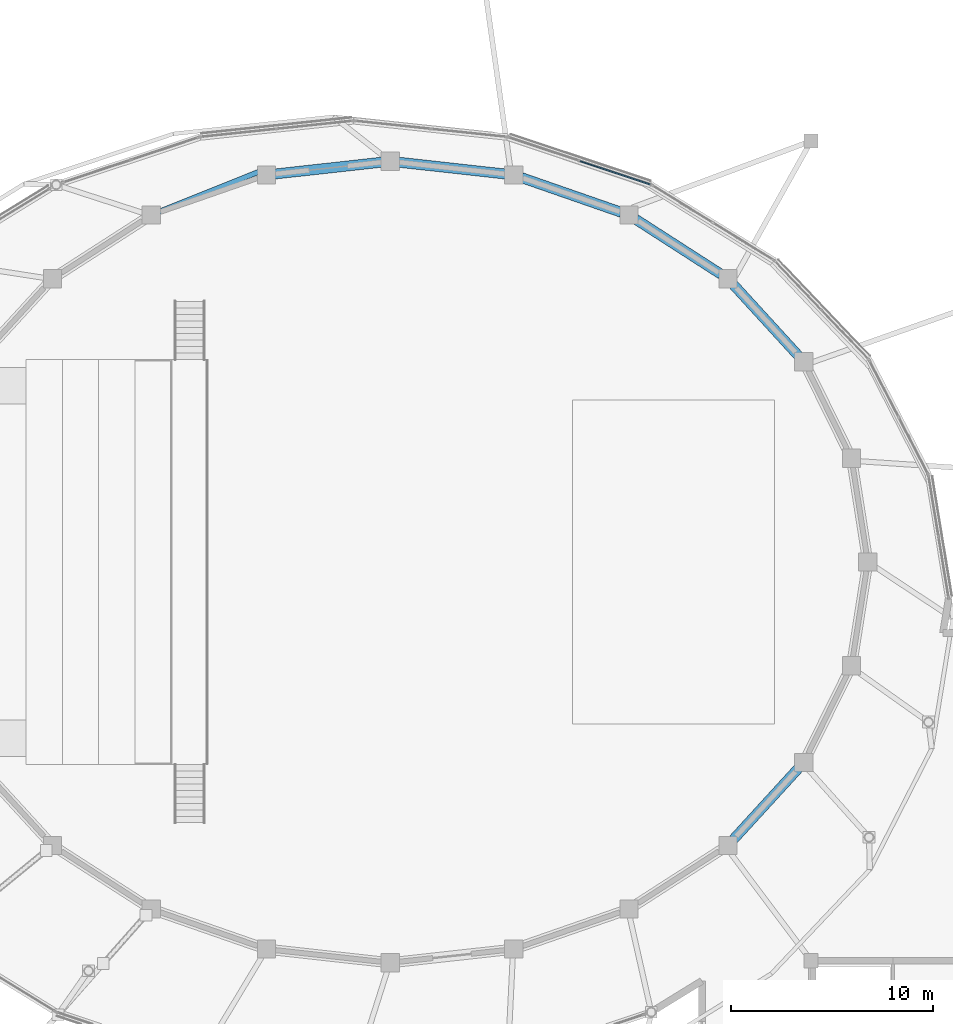
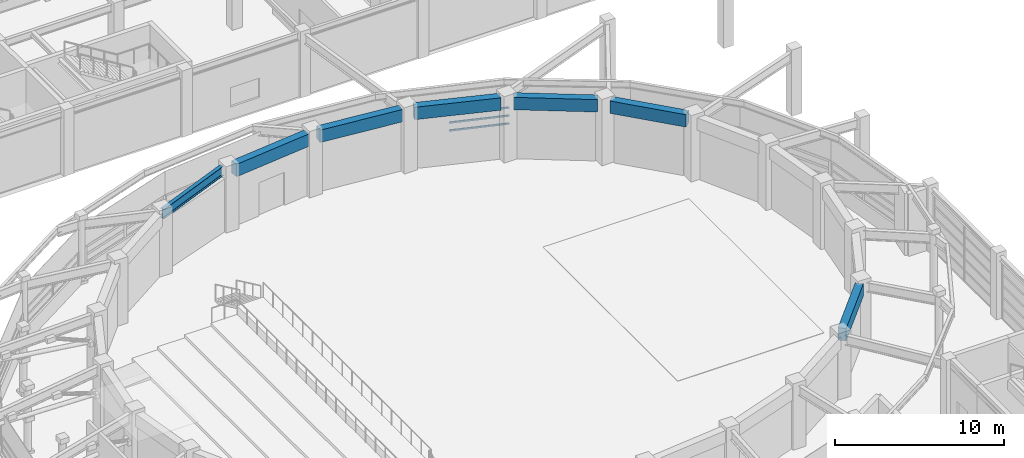
# One storey, part 15 of 56: 7 beams, 3 members, 1 element without a shape of its own.
"""IFC4 building model written with IfcOpenShell, lengths in metres."""

from ifc_helpers import new_model, si_unit, direction, frame, origin, origin_2d, place, context, subcontext, project, spatial, rectangle, i_section, extrude, material, material_profile, profile_set, type_object, element, aggregate, save


model = new_model("IFC4")

# Units and contexts
model_context = context("Model", 3, precision=1e-05, world=origin(), true_north=direction((0.0, 1.0)))
body_context = subcontext(model_context, "Body", "Model", "MODEL_VIEW")
ifc_project = project(units=[si_unit("LENGTHUNIT", "METRE"), si_unit("AREAUNIT", "SQUARE_METRE"), si_unit("VOLUMEUNIT", "CUBIC_METRE"), si_unit("PLANEANGLEUNIT", "RADIAN"), si_unit("MASSUNIT", "GRAM", prefix="KILO")], contexts=[model_context])

# Site, building, storey
site_placement = place(None, origin())
site = spatial("IfcSite", under=ifc_project, at=site_placement, CompositionType="ELEMENT")
building_placement = place(site_placement, origin())
building = spatial("IfcBuilding", under=site, at=building_placement, Name="Parian Resonance Hall", CompositionType="ELEMENT")
storey_placement = place(building_placement, frame((0.0, 0.0, 5.39990234375)))
storey = spatial("IfcBuildingStorey", under=building, at=storey_placement, Name="L01", CompositionType="ELEMENT", Elevation=5.39990234375)

# Beams
ifc_material_1 = material(Name="Concrete C40/50", Category="concrete")
ifc_material_profile_1 = material_profile(ifc_material_1, rectangle(XDim=0.5, YDim=0.89990234375, at=origin_2d()), Name="RC-BM-500x900")
ifc_profile_set_1 = profile_set([ifc_material_profile_1], Name="Concrete C40/50")
beam_type_1 = type_object("IfcBeamType", Name="BM-RC500x900", PredefinedType="USERDEFINED", material=ifc_profile_set_1)
beam_1_placement = place(storey_placement, frame((64.168212890625, 54.1953125, 4.080078125), z_axis=(-0.674892190981, 0.737916343872, 0.0), x_axis=(-0.737916343872, -0.674892190981, 0.0)))
element("IfcBeam", 1, at=beam_1_placement, inside=storey, type_object=beam_type_1, Name="Concert hall drum ring beam L01-03", ObjectType="GIRDER", PredefinedType="USERDEFINED", context=body_context, shape_type="SweptSolid", body=[
    extrude(rectangle(XDim=0.5, YDim=0.89990234375, at=origin_2d()), origin(), (0.0, 0.0, 1.0), 4.757080078125),
])
beam_2_placement = place(storey_placement, frame((60.351318359375, 58.21728515625, 4.080078125), z_axis=(-0.840822266108, 0.541311293819, 0.0), x_axis=(-0.541311293819, -0.840822266108, 0.0)))
element("IfcBeam", 2, at=beam_2_placement, inside=storey, type_object=beam_type_1, Name="Concert hall drum ring beam L01-04", ObjectType="GIRDER", PredefinedType="USERDEFINED", context=body_context, shape_type="SweptSolid", body=[
    extrude(rectangle(XDim=0.5, YDim=0.89990234375, at=origin_2d()), origin(), (0.0, 0.0, 1.0), 5.012939453125),
])
beam_3_placement = place(storey_placement, frame((55.422119140625, 61.278564453125, 4.080078125), z_axis=(-0.944593815742, 0.328241562362, 0.0), x_axis=(-0.328241562362, -0.944593815742, 0.0)))
element("IfcBeam", 3, at=beam_3_placement, inside=storey, type_object=beam_type_1, Name="Concert hall drum ring beam L01-05", ObjectType="GIRDER", PredefinedType="USERDEFINED", context=body_context, shape_type="SweptSolid", body=[
    extrude(rectangle(XDim=0.5, YDim=0.89990234375, at=origin_2d()), origin(), (0.0, 0.0, 1.0), 5.225830078125),
])
for number, where, z_axis, x_axis, name in (
    (4, (49.71044921875, 63.169189453125, 4.080078125), (-0.993953165009, 0.109804853117, 0.0), (-0.109804853117, -0.993953165009, 0.0), "Concert hall drum ring beam L01-06"),
    (5, (43.602294921875, 63.756103515625, 4.080078125), (-0.993953165009, -0.109804853117, 0.0), (0.109804853117, -0.993953165009, 0.0), "Concert hall drum ring beam L01-07"),
):
    element("IfcBeam", number, at=place(storey_placement, frame(where, z_axis=z_axis, x_axis=x_axis)), inside=storey, type_object=beam_type_1, Name=name, ObjectType="GIRDER", PredefinedType="USERDEFINED", context=body_context, shape_type="SweptSolid", body=[
        extrude(rectangle(XDim=0.5, YDim=0.89990234375, at=origin_2d()), origin(), (0.0, 0.0, 1.0), 5.344970703125),
    ])
beam_4_placement = place(storey_placement, frame((60.957763671875, 30.29443359375, 4.080078125), z_axis=(0.674892190981, 0.737916343872, 0.0), x_axis=(-0.737916343872, 0.674892190981, 0.0)))
element("IfcBeam", 6, at=beam_4_placement, inside=storey, type_object=beam_type_1, Name="Concert hall drum ring beam L01-22", ObjectType="GIRDER", PredefinedType="USERDEFINED", context=body_context, shape_type="SweptSolid", body=[
    extrude(rectangle(XDim=0.5, YDim=0.89990234375, at=origin_2d()), origin(), (0.0, 0.0, 1.0), 4.757080078125),
])
ifc_material_2 = material(Name="Steel S355", Category="steel")
ifc_material_profile_2 = material_profile(ifc_material_2, i_section(OverallWidth=0.256103515625, OverallDepth=0.693115234375, WebThickness=0.014404296875, FlangeThickness=0.023681640625, FilletRadius=0.020263671875, at=origin_2d()), Name="W690x170")
ifc_profile_set_2 = profile_set([ifc_material_profile_2], Name="Steel S355")
beam_type_2 = type_object("IfcBeamType", Name="CG2 W690x170", PredefinedType="USERDEFINED", material=ifc_profile_set_2)
beam_5_placement = place(storey_placement, frame((37.52587890625, 63.286376953125, 4.18359375), z_axis=(-0.928109474735, -0.372307403777, 0.0), x_axis=(0.372307403777, -0.928109474735, 0.0)))
element("IfcBeam", 7, at=beam_5_placement, inside=storey, type_object=beam_type_2, Name="Radial spine girder R2-08", ObjectType="GIRDER", PredefinedType="USERDEFINED", context=body_context, shape_type="SweptSolid", body=[
    extrude(i_section(OverallWidth=0.256103515625, OverallDepth=0.693115234375, WebThickness=0.014404296875, FlangeThickness=0.023681640625, FilletRadius=0.020263671875, at=origin_2d()), origin(), (0.0, 0.0, 1.0), 5.738525390625),
])

# Curtain wall, members
ifc_material_3 = material(Name="Bronze-anodised aluminium frame", Category="aluminium")
curtain_wall_type = type_object("IfcCurtainWallType", Name="CW-SYS-05", PredefinedType="NOTDEFINED", material=ifc_material_3)
curtain_wall_placement = place(storey_placement, origin())
curtain_wall = element("IfcCurtainWall", 8, at=curtain_wall_placement, inside=storey, type_object=curtain_wall_type, Name="Elliptical R1 recessed strip curtain wall 05", PredefinedType="NOTDEFINED")
ifc_material_4 = material(Name="Bronze-anodised aluminium frame", Category="aluminium")
ifc_material_profile_3 = material_profile(ifc_material_4, rectangle(XDim=0.06494140625, YDim=0.1201171875, at=origin_2d()), Name="CWT-65x120")
ifc_profile_set_3 = profile_set([ifc_material_profile_3], Name="Bronze-anodised aluminium frame")
member_type = type_object("IfcMemberType", Name="CWT-65x120", PredefinedType="USERDEFINED", material=ifc_profile_set_3)
member_1_placement = place(storey_placement, frame((53.385498046875, 63.806640625, 1.174560546875), z_axis=(0.948931258961, -0.315482908834, 0.0), x_axis=(0.315482908834, 0.948931258961, 0.0)))
member_1 = element("IfcMember", 9, at=member_1_placement, type_object=member_type, Name="CW-05 transom 2.1", ObjectType="TRANSOM", PredefinedType="USERDEFINED", context=body_context, shape_type="SweptSolid", body=[
    extrude(rectangle(XDim=0.06494140625, YDim=0.1201171875, at=origin_2d()), origin(), (0.0, 0.0, 1.0), 3.638671875),
])
member_2_placement = place(storey_placement, frame((53.385498046875, 63.806640625, 1.75), z_axis=(0.948931258961, -0.315482908834, 0.0), x_axis=(0.315482908834, 0.948931258961, 0.0)))
member_2 = element("IfcMember", 10, at=member_2_placement, type_object=member_type, Name="CW-05 transom 2.2", ObjectType="TRANSOM", PredefinedType="USERDEFINED", context=body_context, shape_type="SweptSolid", body=[
    extrude(rectangle(XDim=0.06494140625, YDim=0.1201171875, at=origin_2d()), origin(), (0.0, 0.0, 1.0), 3.638671875),
])
member_3_placement = place(storey_placement, frame((53.385498046875, 63.806640625, 2.32763671875), z_axis=(0.948931258961, -0.315482908834, 0.0), x_axis=(0.315482908834, 0.948931258961, 0.0)))
member_3 = element("IfcMember", 11, at=member_3_placement, type_object=member_type, Name="CW-05 transom 2.3", ObjectType="TRANSOM", PredefinedType="USERDEFINED", context=body_context, shape_type="SweptSolid", body=[
    extrude(rectangle(XDim=0.06494140625, YDim=0.1201171875, at=origin_2d()), origin(), (0.0, 0.0, 1.0), 3.638671875),
])
aggregate(curtain_wall, [member_1, member_2, member_3])

save(model, "model.ifc")
